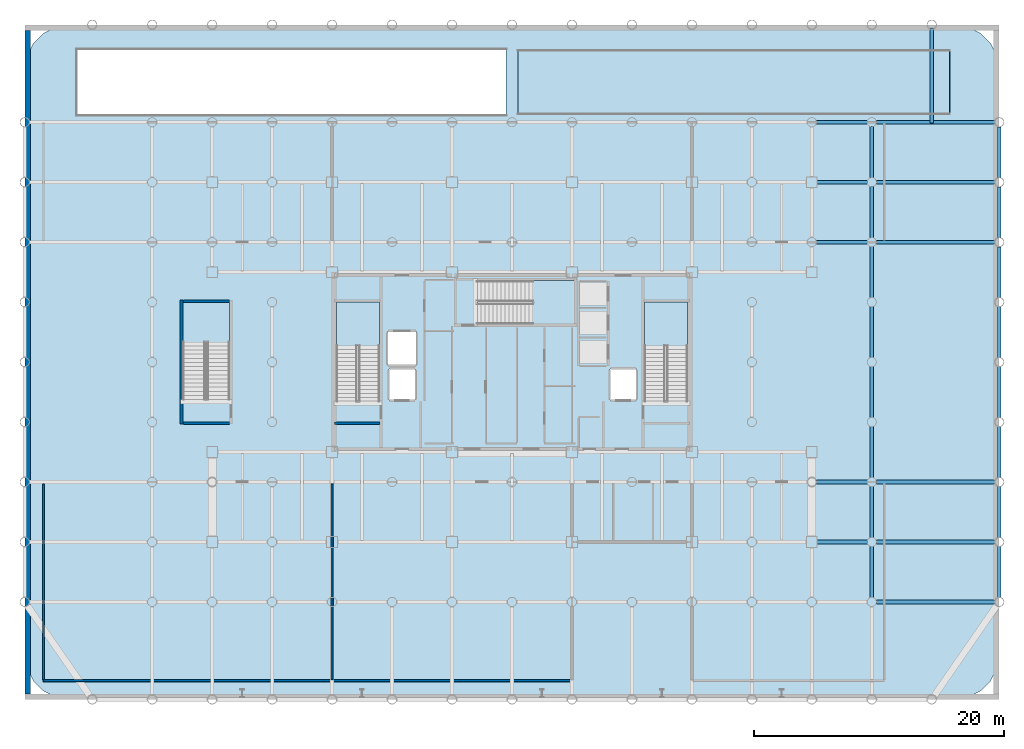
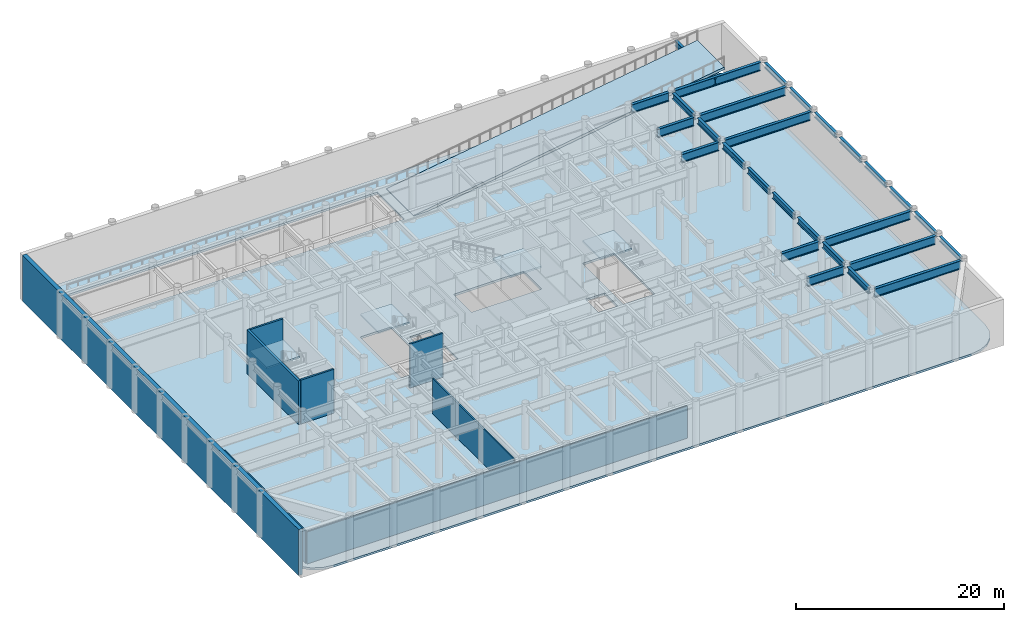
# One storey, part 7 of 16: 28 beams, 8 walls, 6 slabs, 4 elements without a shape of their own.
"""IFC4 building model written with IfcOpenShell, lengths in metres."""

from ifc_helpers import new_model, si_unit, direction, frame, frame_2d, origin, origin_2d, place, context, subcontext, project, spatial, polyline, rectangle, i_section, outline, extrude, material, layer, layer_set, material_profile, profile_set, type_object, element, aggregate, save


model = new_model("IFC4")

# Units and contexts
model_context = context("Model", 3, precision=1e-05, world=origin(), true_north=direction((0.0, 1.0)))
body_context = subcontext(model_context, "Body", "Model", "MODEL_VIEW")
ifc_project = project(units=[si_unit("LENGTHUNIT", "METRE"), si_unit("AREAUNIT", "SQUARE_METRE"), si_unit("VOLUMEUNIT", "CUBIC_METRE"), si_unit("PLANEANGLEUNIT", "RADIAN"), si_unit("MASSUNIT", "GRAM", prefix="KILO")], contexts=[model_context])

# Site, building, storey
site_placement = place(None, origin())
site = spatial("IfcSite", under=ifc_project, at=site_placement, CompositionType="ELEMENT")
building_placement = place(site_placement, origin())
building = spatial("IfcBuilding", under=site, at=building_placement, Name="Kallvorn Hotel Tower", CompositionType="ELEMENT")
storey_placement = place(building_placement, frame((0.0, 0.0, -5.39990234375)))
storey = spatial("IfcBuildingStorey", under=building, at=storey_placement, Name="B1", CompositionType="ELEMENT", Elevation=-5.39990234375)

# Beams
ifc_material_1 = material(Name="Structural steel S355JR", Category="steel")
ifc_material_profile_1 = material_profile(ifc_material_1, i_section(OverallWidth=0.300048828125, OverallDepth=1.0, WebThickness=0.01904296875, FlangeThickness=0.035888671875, at=origin_2d()), Name="HE 1000 B")
ifc_profile_set_1 = profile_set([ifc_material_profile_1], Name="Structural steel S355JR")
beam_type_1 = type_object("IfcBeamType", Name="BM_HE1000B", PredefinedType="BEAM", material=ifc_profile_set_1)
beam_1_placement = place(storey_placement, frame((29.156005859375, -19.199951171875, 4.64990234375), z_axis=(1.0, 0.0, 0.0), x_axis=(0.0, 1.0, 0.0)))
element("IfcBeam", 1, at=beam_1_placement, inside=storey, type_object=beam_type_1, Name="L00 Primary X-Girder 16", PredefinedType="BEAM", context=body_context, shape_type="SweptSolid", body=[
    extrude(i_section(OverallWidth=0.300048828125, OverallDepth=1.0, WebThickness=0.01904296875, FlangeThickness=0.035888671875, at=origin_2d()), origin(), (0.0, 0.0, 1.0), 9.488037109375),
])
beam_2_placement = place(storey_placement, frame((24.425048828125, -14.39990234375, 4.64990234375), z_axis=(1.0, 0.0, 0.0), x_axis=(0.0, 1.0, 0.0)))
element("IfcBeam", 2, at=beam_2_placement, inside=storey, type_object=beam_type_1, Name="L00 Primary X-Girder 26", PredefinedType="BEAM", context=body_context, shape_type="SweptSolid", body=[
    extrude(i_section(OverallWidth=0.300048828125, OverallDepth=1.0, WebThickness=0.01904296875, FlangeThickness=0.035888671875, at=origin_2d()), origin(), (0.0, 0.0, 1.0), 4.01904296875),
])
beam_3_placement = place(storey_placement, frame((29.156005859375, -14.39990234375, 4.64990234375), z_axis=(1.0, 0.0, 0.0), x_axis=(0.0, 1.0, 0.0)))
element("IfcBeam", 3, at=beam_3_placement, inside=storey, type_object=beam_type_1, Name="L00 Primary X-Girder 27", PredefinedType="BEAM", context=body_context, shape_type="SweptSolid", body=[
    extrude(i_section(OverallWidth=0.300048828125, OverallDepth=1.0, WebThickness=0.01904296875, FlangeThickness=0.035888671875, at=origin_2d()), origin(), (0.0, 0.0, 1.0), 9.488037109375),
])
beam_4_placement = place(storey_placement, frame((24.35595703125, -9.60009765625, 4.64990234375), z_axis=(1.0, 0.0, 0.0), x_axis=(0.0, 1.0, 0.0)))
element("IfcBeam", 4, at=beam_4_placement, inside=storey, type_object=beam_type_1, Name="L00 Primary X-Girder 36", PredefinedType="BEAM", context=body_context, shape_type="SweptSolid", body=[
    extrude(i_section(OverallWidth=0.300048828125, OverallDepth=1.0, WebThickness=0.01904296875, FlangeThickness=0.035888671875, at=origin_2d()), origin(), (0.0, 0.0, 1.0), 4.088134765625),
])
beam_5_placement = place(storey_placement, frame((29.156005859375, -9.60009765625, 4.64990234375), z_axis=(1.0, 0.0, 0.0), x_axis=(0.0, 1.0, 0.0)))
element("IfcBeam", 5, at=beam_5_placement, inside=storey, type_object=beam_type_1, Name="L00 Primary X-Girder 37", PredefinedType="BEAM", context=body_context, shape_type="SweptSolid", body=[
    extrude(i_section(OverallWidth=0.300048828125, OverallDepth=1.0, WebThickness=0.01904296875, FlangeThickness=0.035888671875, at=origin_2d()), origin(), (0.0, 0.0, 1.0), 9.488037109375),
])
beam_6_placement = place(storey_placement, frame((24.35595703125, 9.60009765625, 4.64990234375), z_axis=(1.0, 0.0, 0.0), x_axis=(0.0, 1.0, 0.0)))
element("IfcBeam", 6, at=beam_6_placement, inside=storey, type_object=beam_type_1, Name="L00 Primary X-Girder 55", PredefinedType="BEAM", context=body_context, shape_type="SweptSolid", body=[
    extrude(i_section(OverallWidth=0.300048828125, OverallDepth=1.0, WebThickness=0.01904296875, FlangeThickness=0.035888671875, at=origin_2d()), origin(), (0.0, 0.0, 1.0), 4.088134765625),
])
beam_7_placement = place(storey_placement, frame((29.156005859375, 9.60009765625, 4.64990234375), z_axis=(1.0, 0.0, 0.0), x_axis=(0.0, 1.0, 0.0)))
element("IfcBeam", 7, at=beam_7_placement, inside=storey, type_object=beam_type_1, Name="L00 Primary X-Girder 56", PredefinedType="BEAM", context=body_context, shape_type="SweptSolid", body=[
    extrude(i_section(OverallWidth=0.300048828125, OverallDepth=1.0, WebThickness=0.01904296875, FlangeThickness=0.035888671875, at=origin_2d()), origin(), (0.0, 0.0, 1.0), 9.488037109375),
])
beam_8_placement = place(storey_placement, frame((24.425048828125, 14.39990234375, 4.64990234375), z_axis=(1.0, 0.0, 0.0), x_axis=(0.0, 1.0, 0.0)))
element("IfcBeam", 8, at=beam_8_placement, inside=storey, type_object=beam_type_1, Name="L00 Primary X-Girder 66", PredefinedType="BEAM", context=body_context, shape_type="SweptSolid", body=[
    extrude(i_section(OverallWidth=0.300048828125, OverallDepth=1.0, WebThickness=0.01904296875, FlangeThickness=0.035888671875, at=origin_2d()), origin(), (0.0, 0.0, 1.0), 4.01904296875),
])
beam_9_placement = place(storey_placement, frame((29.156005859375, 14.39990234375, 4.64990234375), z_axis=(1.0, 0.0, 0.0), x_axis=(0.0, 1.0, 0.0)))
element("IfcBeam", 9, at=beam_9_placement, inside=storey, type_object=beam_type_1, Name="L00 Primary X-Girder 67", PredefinedType="BEAM", context=body_context, shape_type="SweptSolid", body=[
    extrude(i_section(OverallWidth=0.300048828125, OverallDepth=1.0, WebThickness=0.01904296875, FlangeThickness=0.035888671875, at=origin_2d()), origin(), (0.0, 0.0, 1.0), 9.488037109375),
])
beam_10_placement = place(storey_placement, frame((24.35595703125, 19.199951171875, 4.64990234375), z_axis=(1.0, 0.0, 0.0), x_axis=(0.0, 1.0, 0.0)))
element("IfcBeam", 10, at=beam_10_placement, inside=storey, type_object=beam_type_1, Name="L00 Primary X-Girder 80", PredefinedType="BEAM", context=body_context, shape_type="SweptSolid", body=[
    extrude(i_section(OverallWidth=0.300048828125, OverallDepth=1.0, WebThickness=0.01904296875, FlangeThickness=0.035888671875, at=origin_2d()), origin(), (0.0, 0.0, 1.0), 4.088134765625),
])
beam_11_placement = place(storey_placement, frame((29.156005859375, 19.199951171875, 4.64990234375), z_axis=(1.0, 0.0, 0.0), x_axis=(0.0, 1.0, 0.0)))
element("IfcBeam", 11, at=beam_11_placement, inside=storey, type_object=beam_type_1, Name="L00 Primary X-Girder 81", PredefinedType="BEAM", context=body_context, shape_type="SweptSolid", body=[
    extrude(i_section(OverallWidth=0.300048828125, OverallDepth=1.0, WebThickness=0.01904296875, FlangeThickness=0.035888671875, at=origin_2d()), origin(), (0.0, 0.0, 1.0), 9.488037109375),
])
ifc_material_2 = material(Name="Structural steel S355JR", Category="steel")
ifc_material_profile_2 = material_profile(ifc_material_2, i_section(OverallWidth=0.300048828125, OverallDepth=0.60009765625, WebThickness=0.015380859375, FlangeThickness=0.030029296875, at=origin_2d()), Name="HE 600 B")
ifc_profile_set_2 = profile_set([ifc_material_profile_2], Name="Structural steel S355JR")
beam_type_2 = type_object("IfcBeamType", Name="BM_HE600B", PredefinedType="SPANDREL", material=ifc_profile_set_2)
for number, where, z_axis, x_axis, name in (
    (12, (39.0, -18.8291015625, 4.849853515625), (0.0, 1.0, 0.0), (-1.0, 0.0, 0.0), "L00 Perimeter Spandrel 210"),
    (13, (39.0, -14.029052734375, 4.849853515625), (0.0, 1.0, 0.0), (-1.0, 0.0, 0.0), "L00 Perimeter Spandrel 211"),
    (14, (39.0, -9.22900390625, 4.849853515625), (0.0, 1.0, 0.0), (-1.0, 0.0, 0.0), "L00 Perimeter Spandrel 212"),
):
    element("IfcBeam", number, at=place(storey_placement, frame(where, z_axis=z_axis, x_axis=x_axis)), inside=storey, type_object=beam_type_2, Name=name, PredefinedType="SPANDREL", context=body_context, shape_type="SweptSolid", body=[
        extrude(i_section(OverallWidth=0.300048828125, OverallDepth=0.60009765625, WebThickness=0.015380859375, FlangeThickness=0.030029296875, at=origin_2d()), origin(), (0.0, 0.0, 1.0), 4.05810546875),
    ])
for number, where, z_axis, x_axis, name in (
    (15, (39.0, -4.428955078125, 4.849853515625), (0.0, 1.0, 0.0), (-1.0, 0.0, 0.0), "L00 Perimeter Spandrel 213"),
    (16, (39.0, 0.37109375, 4.849853515625), (0.0, 1.0, 0.0), (-1.0, 0.0, 0.0), "L00 Perimeter Spandrel 214"),
):
    element("IfcBeam", number, at=place(storey_placement, frame(where, z_axis=z_axis, x_axis=x_axis)), inside=storey, type_object=beam_type_2, Name=name, PredefinedType="SPANDREL", context=body_context, shape_type="SweptSolid", body=[
        extrude(i_section(OverallWidth=0.300048828125, OverallDepth=0.60009765625, WebThickness=0.015380859375, FlangeThickness=0.030029296875, at=origin_2d()), origin(), (0.0, 0.0, 1.0), 4.057861328125),
    ])
for number, where, z_axis, x_axis, name in (
    (17, (39.0, 5.1708984375, 4.849853515625), (0.0, 1.0, 0.0), (-1.0, 0.0, 0.0), "L00 Perimeter Spandrel 215"),
    (18, (39.0, 9.970947265625, 4.849853515625), (0.0, 1.0, 0.0), (-1.0, 0.0, 0.0), "L00 Perimeter Spandrel 216"),
    (19, (39.0, 14.77099609375, 4.849853515625), (0.0, 1.0, 0.0), (-1.0, 0.0, 0.0), "L00 Perimeter Spandrel 217"),
):
    element("IfcBeam", number, at=place(storey_placement, frame(where, z_axis=z_axis, x_axis=x_axis)), inside=storey, type_object=beam_type_2, Name=name, PredefinedType="SPANDREL", context=body_context, shape_type="SweptSolid", body=[
        extrude(i_section(OverallWidth=0.300048828125, OverallDepth=0.60009765625, WebThickness=0.015380859375, FlangeThickness=0.030029296875, at=origin_2d()), origin(), (0.0, 0.0, 1.0), 4.05810546875),
    ])
ifc_material_3 = material(Name="Structural steel S355JR", Category="steel")
ifc_material_profile_3 = material_profile(ifc_material_3, i_section(OverallWidth=0.300048828125, OverallDepth=0.64990234375, WebThickness=0.01611328125, FlangeThickness=0.031005859375, at=origin_2d()), Name="HE 650 B")
ifc_profile_set_3 = profile_set([ifc_material_profile_3], Name="Structural steel S355JR")
beam_type_3 = type_object("IfcBeamType", Name="BM_HE650B", PredefinedType="BEAM", material=ifc_profile_set_3)
beam_12_placement = place(storey_placement, frame((33.60009765625, 19.14990234375, 4.544921875), z_axis=(0.0, 1.0, 0.0), x_axis=(-1.0, 0.0, 0.0)))
element("IfcBeam", 20, at=beam_12_placement, inside=storey, type_object=beam_type_3, Name="L00 Vehicle Ramp Head Support Girder", PredefinedType="BEAM", context=body_context, shape_type="SweptSolid", body=[
    extrude(i_section(OverallWidth=0.300048828125, OverallDepth=0.64990234375, WebThickness=0.01611328125, FlangeThickness=0.031005859375, at=origin_2d()), origin(), (0.0, 0.0, 1.0), 7.60009765625),
])
ifc_material_4 = material(Name="Structural steel S355JR", Category="steel")
ifc_material_profile_4 = material_profile(ifc_material_4, i_section(OverallWidth=0.300048828125, OverallDepth=0.699951171875, WebThickness=0.01708984375, FlangeThickness=0.031982421875, at=origin_2d()), Name="HE 700 B")
ifc_profile_set_4 = profile_set([ifc_material_profile_4], Name="Structural steel S355JR")
beam_type_4 = type_object("IfcBeamType", Name="BM_HE700B", PredefinedType="BEAM", material=ifc_profile_set_4)
for number, where, z_axis, x_axis, name in (
    (21, (28.800048828125, -18.843994140625, 4.7998046875), (0.0, 1.0, 0.0), (-1.0, 0.0, 0.0), "L00 Primary Y-Girder 165"),
    (22, (28.800048828125, -14.0439453125, 4.7998046875), (0.0, 1.0, 0.0), (-1.0, 0.0, 0.0), "L00 Primary Y-Girder 166"),
    (23, (28.800048828125, -9.243896484375, 4.7998046875), (0.0, 1.0, 0.0), (-1.0, 0.0, 0.0), "L00 Primary Y-Girder 167"),
):
    element("IfcBeam", number, at=place(storey_placement, frame(where, z_axis=z_axis, x_axis=x_axis)), inside=storey, type_object=beam_type_4, Name=name, PredefinedType="BEAM", context=body_context, shape_type="SweptSolid", body=[
        extrude(i_section(OverallWidth=0.300048828125, OverallDepth=0.699951171875, WebThickness=0.01708984375, FlangeThickness=0.031982421875, at=origin_2d()), origin(), (0.0, 0.0, 1.0), 4.087890625),
    ])
for number, where, z_axis, x_axis, name in (
    (24, (28.800048828125, -4.444091796875, 4.7998046875), (0.0, 1.0, 0.0), (-1.0, 0.0, 0.0), "L00 Primary Y-Girder 168"),
    (25, (28.800048828125, 0.35595703125, 4.7998046875), (0.0, 1.0, 0.0), (-1.0, 0.0, 0.0), "L00 Primary Y-Girder 169"),
):
    element("IfcBeam", number, at=place(storey_placement, frame(where, z_axis=z_axis, x_axis=x_axis)), inside=storey, type_object=beam_type_4, Name=name, PredefinedType="BEAM", context=body_context, shape_type="SweptSolid", body=[
        extrude(i_section(OverallWidth=0.300048828125, OverallDepth=0.699951171875, WebThickness=0.01708984375, FlangeThickness=0.031982421875, at=origin_2d()), origin(), (0.0, 0.0, 1.0), 4.088134765625),
    ])
for number, where, z_axis, x_axis, name in (
    (26, (28.800048828125, 5.156005859375, 4.7998046875), (0.0, 1.0, 0.0), (-1.0, 0.0, 0.0), "L00 Primary Y-Girder 170"),
    (27, (28.800048828125, 9.9560546875, 4.7998046875), (0.0, 1.0, 0.0), (-1.0, 0.0, 0.0), "L00 Primary Y-Girder 171"),
    (28, (28.800048828125, 14.756103515625, 4.7998046875), (0.0, 1.0, 0.0), (-1.0, 0.0, 0.0), "L00 Primary Y-Girder 172"),
):
    element("IfcBeam", number, at=place(storey_placement, frame(where, z_axis=z_axis, x_axis=x_axis)), inside=storey, type_object=beam_type_4, Name=name, PredefinedType="BEAM", context=body_context, shape_type="SweptSolid", body=[
        extrude(i_section(OverallWidth=0.300048828125, OverallDepth=0.699951171875, WebThickness=0.01708984375, FlangeThickness=0.031982421875, at=origin_2d()), origin(), (0.0, 0.0, 1.0), 4.087890625),
    ])

# Stair, slab
ifc_material_5 = material(Name="Precast concrete C40/50", Category="concrete")
stair_type_1 = type_object("IfcStairType", Name="STR_CORE_DOGLEG", PredefinedType="HALF_TURN_STAIR", material=ifc_material_5)
stair_1_placement = place(storey_placement, origin())
stair_1 = element("IfcStair", 29, at=stair_1_placement, inside=storey, type_object=stair_type_1, Name="B1 Exit stair ST1", PredefinedType="HALF_TURN_STAIR")
ifc_material_6 = material(Name="Precast concrete C40/50", Category="concrete")
ifc_layer_1 = layer(ifc_material_6, 0.179931640625)
ifc_layer_set_1 = layer_set([ifc_layer_1], Name="SLB_LANDING_180")
slab_type_1 = type_object("IfcSlabType", Name="SLB_LANDING_180", PredefinedType="LANDING", material=ifc_layer_set_1)
slab_1_placement = place(storey_placement, frame((0.0, 0.0, 2.5)))
slab_1 = element("IfcSlab", 30, at=slab_1_placement, type_object=slab_type_1, Name="ST1 landing 1", PredefinedType="LANDING", context=body_context, shape_type="SweptSolid", body=[
    extrude(outline(polyline([(-10.60009765625, 1.2900390625), (-10.60009765625, 4.800048828125), (-14.06005859375, 4.800048828125), (-14.06005859375, 1.2900390625), (-10.60009765625, 1.2900390625)])), origin(), (0.0, 0.0, 1.0), 0.199951171875),
])
aggregate(stair_1, [slab_1])

stair_2_placement = place(storey_placement, origin())
stair_2 = element("IfcStair", 31, at=stair_2_placement, inside=storey, type_object=stair_type_1, Name="B1 Exit stair ST2", PredefinedType="HALF_TURN_STAIR")
slab_2_placement = place(storey_placement, frame((0.0, 0.0, 2.5)))
slab_2 = element("IfcSlab", 32, at=slab_2_placement, type_object=slab_type_1, Name="ST2 landing 1", PredefinedType="LANDING", context=body_context, shape_type="SweptSolid", body=[
    extrude(outline(polyline([(14.06005859375, 1.2900390625), (14.06005859375, 4.800048828125), (10.60009765625, 4.800048828125), (10.60009765625, 1.2900390625), (14.06005859375, 1.2900390625)])), origin(), (0.0, 0.0, 1.0), 0.199951171875),
])
aggregate(stair_2, [slab_2])

stair_3_placement = place(storey_placement, origin())
stair_3 = element("IfcStair", 33, at=stair_3_placement, inside=storey, type_object=stair_type_1, Name="B1 Exit stair ST3", PredefinedType="HALF_TURN_STAIR")
slab_3_placement = place(storey_placement, frame((0.0, 0.0, 2.5)))
slab_3 = element("IfcSlab", 34, at=slab_3_placement, type_object=slab_type_1, Name="ST3 landing 1", PredefinedType="LANDING", context=body_context, shape_type="SweptSolid", body=[
    extrude(outline(polyline([(1.639892578125, 3.050048828125), (5.050048828125, 3.050048828125), (5.050048828125, 6.510009765625), (1.639892578125, 6.510009765625), (1.639892578125, 3.050048828125)])), origin(), (0.0, 0.0, 1.0), 0.199951171875),
])
aggregate(stair_3, [slab_3])

ifc_material_7 = material(Name="Precast concrete C40/50", Category="concrete")
stair_type_2 = type_object("IfcStairType", Name="STR_POD_DOGLEG", PredefinedType="HALF_TURN_STAIR", material=ifc_material_7)
stair_4_placement = place(storey_placement, origin())
stair_4 = element("IfcStair", 35, at=stair_4_placement, inside=storey, type_object=stair_type_2, Name="B1 Exit stair ST4", PredefinedType="HALF_TURN_STAIR")
slab_4_placement = place(storey_placement, frame((0.0, 0.0, 2.5)))
slab_4 = element("IfcSlab", 36, at=slab_4_placement, type_object=slab_type_1, Name="ST4 landing 1", PredefinedType="LANDING", context=body_context, shape_type="SweptSolid", body=[
    extrude(outline(polyline([(-22.60009765625, 1.570068359375), (-22.60009765625, 4.800048828125), (-26.340087890625, 4.800048828125), (-26.340087890625, 1.570068359375), (-22.60009765625, 1.570068359375)])), origin(), (0.0, 0.0, 1.0), 0.199951171875),
])
aggregate(stair_4, [slab_4])

# Slabs
ifc_material_8 = material(Name="Concrete C40/50", Category="concrete")
ifc_layer_2 = layer(ifc_material_8, 0.300048828125)
ifc_layer_set_2 = layer_set([ifc_layer_2], Name="SLB_RAMP_300 Concrete C40/50")
slab_type_2 = type_object("IfcSlabType", Name="SLB_RAMP_300 Concrete C40/50", PredefinedType="USERDEFINED", material=ifc_layer_set_2)
slab_5_placement = place(storey_placement, frame((0.5, 19.800048828125, 0.0498046875), z_axis=(-0.153243613397, 0.0, 0.988188441014), x_axis=(0.988188441014, 0.0, 0.153243613397)))
element("IfcSlab", 37, at=slab_5_placement, inside=storey, type_object=slab_type_2, Name="Car park vehicle ramp RAMP-B1-L00", ObjectType="VEHICLE RAMP", PredefinedType="USERDEFINED", context=body_context, shape_type="SweptSolid", body=[
    extrude(outline(polyline([(0.0, 0.0), (34.91236951184225, 0.0), (34.91236951184225, 5.199951171875), (0.0, 5.199951171875), (0.0, 0.0)])), origin(), (0.0, 0.0, -1.0), 0.300048828125),
])
ifc_material_9 = material(Name="Concrete C40/50", Category="concrete")
ifc_layer_3 = layer(ifc_material_9, 0.179931640625)
ifc_layer_set_3 = layer_set([ifc_layer_3], Name="SLB_TOWER_180")
slab_type_3 = type_object("IfcSlabType", Name="SLB_TOWER_180", PredefinedType="FLOOR", material=ifc_layer_set_3)
slab_6_placement = place(storey_placement, frame((0.0, 0.0, -0.25)))
element("IfcSlab", 38, at=slab_6_placement, inside=storey, type_object=slab_type_3, Name="B1 Structural Floor Slab", PredefinedType="FLOOR", context=body_context, shape_type="SweptSolid", body=[
    extrude(outline(polyline([(35.39990234375, -27.0), (36.512451171875, -26.82373046875), (37.51611328125, -26.3125), (38.3125, -25.51611328125), (38.82373046875, -24.512451171875), (39.0, -23.39990234375), (39.0, 23.39990234375), (38.82373046875, 24.512451171875), (38.3125, 25.51611328125), (37.51611328125, 26.3125), (36.512451171875, 26.82373046875), (35.39990234375, 27.0), (-35.39990234375, 27.0), (-36.512451171875, 26.82373046875), (-37.51611328125, 26.3125), (-38.3125, 25.51611328125), (-38.82373046875, 24.512451171875), (-39.0, 23.39990234375), (-39.0, -23.39990234375), (-38.82373046875, -24.512451171875), (-38.3125, -25.51611328125), (-37.51611328125, -26.3125), (-36.512451171875, -26.82373046875), (-35.39990234375, -27.0), (35.39990234375, -27.0)]), holes=[polyline([(-10.60009765625, -3.070068359375), (-10.60009765625, 4.800048828125), (-14.06005859375, 4.800048828125), (-14.06005859375, -3.070068359375), (-10.60009765625, -3.070068359375)]), polyline([(14.06005859375, -3.070068359375), (14.06005859375, 4.800048828125), (10.60009765625, 4.800048828125), (10.60009765625, -3.070068359375), (14.06005859375, -3.070068359375)]), polyline([(-2.719970703125, 3.050048828125), (5.050048828125, 3.050048828125), (5.050048828125, 6.510009765625), (-2.719970703125, 6.510009765625), (-2.719970703125, 3.050048828125)]), polyline([(-22.60009765625, -2.929931640625), (-22.60009765625, 4.800048828125), (-26.340087890625, 4.800048828125), (-26.340087890625, -2.929931640625), (-22.60009765625, -2.929931640625)]), polyline([(-9.85009765625, -3.050048828125), (-7.75, -3.050048828125), (-7.75, -0.550048828125), (-9.85009765625, -0.550048828125), (-9.85009765625, -3.050048828125)]), polyline([(7.85009765625, -3.050048828125), (9.949951171875, -3.050048828125), (9.949951171875, -0.550048828125), (7.85009765625, -0.550048828125), (7.85009765625, -3.050048828125)]), polyline([(-9.949951171875, -0.25), (-7.64990234375, -0.25), (-7.64990234375, 2.449951171875), (-9.949951171875, 2.449951171875), (-9.949951171875, -0.25)]), polyline([(-34.800048828125, 19.800048828125), (-0.5, 19.800048828125), (-0.5, 25.0), (-34.800048828125, 25.0), (-34.800048828125, 19.800048828125)])]), origin(), (0.0, 0.0, 1.0), 0.25),
])

# Walls
ifc_material_10 = material(Name="Concrete C40/50", Category="concrete")
ifc_layer_4 = layer(ifc_material_10, 0.199951171875)
ifc_layer_set_4 = layer_set([ifc_layer_4], Name="WL_HOIST_200")
wall_type_1 = type_object("IfcWallType", Name="WL_HOIST_200", PredefinedType="SOLIDWALL", material=ifc_layer_set_4)
wall_1_placement = place(storey_placement, frame((-14.199951171875, -4.89990234375, -0.25), z_axis=(0.0, 0.0, 1.0), x_axis=(1.0, 0.0, 0.0)))
element("IfcWall", 39, at=wall_1_placement, inside=storey, type_object=wall_type_1, Name="B1 Stair ST1 South Wall", PredefinedType="SOLIDWALL", context=body_context, shape_type="SweptSolid", body=[
    extrude(rectangle(XDim=3.64990234375, YDim=0.199951171875, at=frame_2d((1.824951171875, 0.0))), origin(), (0.0, 0.0, 1.0), 5.39990234375),
])
for number, where, z_axis, x_axis, name in (
    (40, (-26.31005859375, -4.8798828125, -0.25), (0.0, 0.0, 1.0), (1.0, 0.0, 0.0), "B1 Podium Exit Stair ST4 South Wall"),
    (41, (-26.31005859375, 4.8798828125, -0.25), (0.0, 0.0, 1.0), (1.0, 0.0, 0.0), "B1 Podium Exit Stair ST4 North Wall"),
):
    element("IfcWall", number, at=place(storey_placement, frame(where, z_axis=z_axis, x_axis=x_axis)), inside=storey, type_object=wall_type_1, Name=name, PredefinedType="SOLIDWALL", context=body_context, shape_type="SweptSolid", body=[
        extrude(rectangle(XDim=3.68017578125, YDim=0.199951171875, at=frame_2d((1.840087890625, 0.0))), origin(), (0.0, 0.0, 1.0), 5.39990234375),
    ])
ifc_material_11 = material(Name="Fire-rated double-layer acoustic gypsum drywall EI 60")
ifc_layer_5 = layer(ifc_material_11, 0.14990234375)
ifc_layer_set_5 = layer_set([ifc_layer_5], Name="WL_PART_150")
wall_type_2 = type_object("IfcWallType", Name="WL_PART_150", PredefinedType="PARTITIONING", material=ifc_layer_set_5)
wall_2_placement = place(storey_placement, frame((-37.5, -25.5, 0.0), z_axis=(0.0, 0.0, 1.0), x_axis=(1.0, 0.0, 0.0)))
element("IfcWall", 42, at=wall_2_placement, inside=storey, type_object=wall_type_2, Name="B1 Central Hotel Laundry and Valet Plant Partition", PredefinedType="PARTITIONING", context=body_context, shape_type="SweptSolid", body=[
    extrude(rectangle(XDim=42.179931640625, YDim=0.14990234375, at=frame_2d((21.08984375, 0.0))), origin(), (0.0, 0.0, 1.0), 3.75),
])
wall_3_placement = place(storey_placement, frame((-37.5, -25.4150390625, 0.0), z_axis=(0.0, 0.0, 1.0), x_axis=(0.0, 1.0, 0.0)))
element("IfcWall", 43, at=wall_3_placement, inside=storey, type_object=wall_type_2, Name="B1 Central Hotel Laundry and Valet Plant Partition", PredefinedType="PARTITIONING", context=body_context, shape_type="SweptSolid", body=[
    extrude(rectangle(XDim=15.6650390625, YDim=0.14990234375, at=frame_2d((7.83251953125, 0.0))), origin(), (0.0, 0.0, 1.0), 3.75),
])
wall_4_placement = place(storey_placement, frame((-14.39990234375, -25.4150390625, 0.0), z_axis=(0.0, 0.0, 1.0), x_axis=(0.0, 1.0, 0.0)))
element("IfcWall", 44, at=wall_4_placement, inside=storey, type_object=wall_type_2, Name="B1 Central Commissary Production Kitchen Partition", PredefinedType="PARTITIONING", context=body_context, shape_type="SweptSolid", body=[
    extrude(rectangle(XDim=15.6650390625, YDim=0.14990234375, at=frame_2d((7.83251953125, 0.0))), origin(), (0.0, 0.0, 1.0), 4.14990234375),
])
ifc_material_12 = material(Name="Concrete C40/50", Category="concrete")
ifc_layer_6 = layer(ifc_material_12, 0.449951171875)
ifc_layer_set_6 = layer_set([ifc_layer_6], Name="WL_RET_450")
wall_type_3 = type_object("IfcWallType", Name="WL_RET_450", PredefinedType="SOLIDWALL", material=ifc_layer_set_6)
wall_5_placement = place(storey_placement, frame((-38.77490234375, 26.550048828125, -0.25), z_axis=(0.0, 0.0, 1.0), x_axis=(0.0, -1.0, 0.0)))
element("IfcWall", 45, at=wall_5_placement, inside=storey, type_object=wall_type_3, Name="B1 Perimeter Retaining Wall W", PredefinedType="SOLIDWALL", context=body_context, shape_type="SweptSolid", body=[
    extrude(rectangle(XDim=53.10009765625, YDim=0.449951171875, at=frame_2d((26.550048828125, 0.0))), origin(), (0.0, 0.0, 1.0), 5.39990234375),
])
ifc_material_13 = material(Name="Concrete C40/50", Category="concrete")
ifc_layer_7 = layer(ifc_material_13, 0.25)
ifc_layer_set_7 = layer_set([ifc_layer_7], Name="WL_SHAFT_250")
wall_type_4 = type_object("IfcWallType", Name="WL_SHAFT_250", PredefinedType="SOLIDWALL", material=ifc_layer_set_7)
wall_6_placement = place(storey_placement, frame((-26.43994140625, -4.9599609375, -0.25), z_axis=(0.0, 0.0, 1.0), x_axis=(0.0, 1.0, 0.0)))
element("IfcWall", 46, at=wall_6_placement, inside=storey, type_object=wall_type_4, Name="B1 Podium Exit Stair ST4 West Wall", PredefinedType="SOLIDWALL", context=body_context, shape_type="SweptSolid", body=[
    extrude(rectangle(XDim=9.919921875, YDim=0.25, at=frame_2d((4.9599609375, 0.0))), origin(), (0.0, 0.0, 1.0), 5.39990234375),
])

save(model, "model.ifc")
